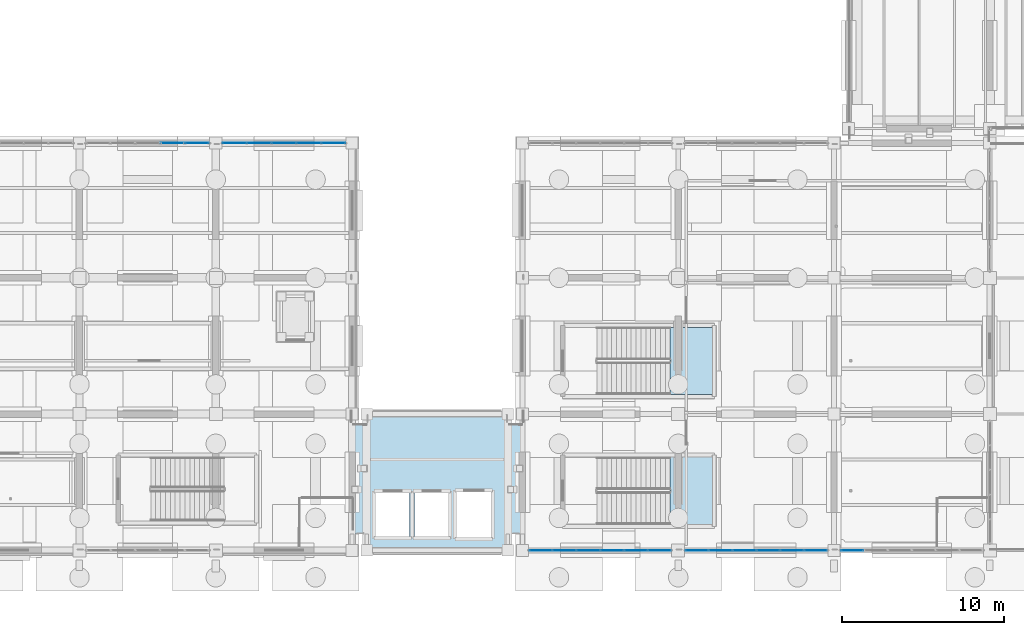
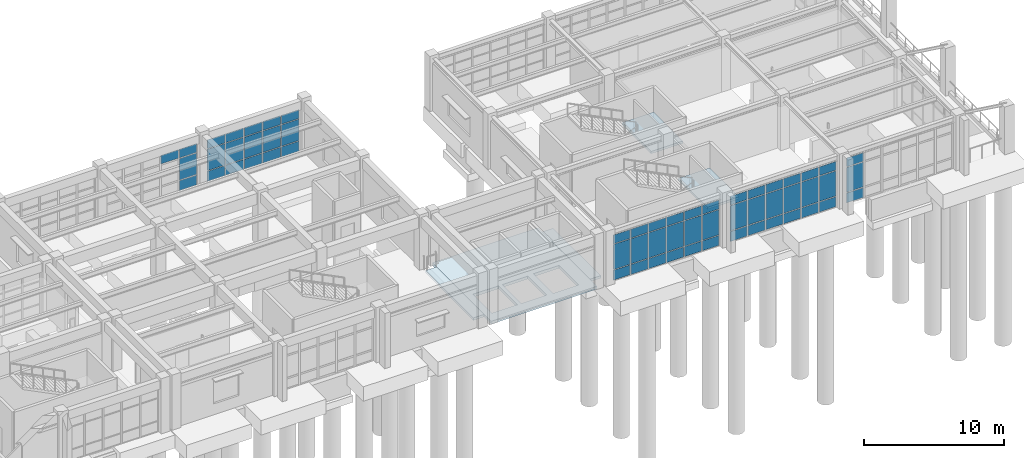
# One storey, part 77 of 111: 58 plates, 5 slabs, 7 elements without a shape of their own.
"""IFC4 building model written with IfcOpenShell, lengths in metres."""

import ifcopenshell
import ifcopenshell.guid

model = None  # the IFC model being written
_history = None  # IfcOwnerHistory: only IFC2X3 demands one
_inside = {}  # id of a spatial element -> (the spatial element, [elements in it])
_under = {}  # id of a project, library or spatial element -> (it, [spatial elements below it])
_declared = {}  # id of a project -> (the project, [libraries it declares])
_typed = {}  # id of a type object -> (the type object, [elements of that type])
_made_of = {}  # id of a material, layer set ... -> (it, [elements and type objects made of it])


def new_model(schema):
    """Start an empty IFC model of exactly this schema.

    Asked for "IFC4X3", IfcOpenShell would pick the latest addendum, in which some entities
    have other attributes; the version numbers below select the first issue.
    IFC2X3 requires an IfcOwnerHistory on every rooted entity: one is made here for all.
    """
    global model, _history
    if schema == "IFC4X3":
        model = ifcopenshell.file(schema_version=(4, 3, 0, 0))
    else:
        model = ifcopenshell.file(schema=schema)
    _inside.clear()
    _under.clear()
    _declared.clear()
    _typed.clear()
    _made_of.clear()
    _history = None
    if model.schema == "IFC2X3":
        org = make("IfcOrganization", Name="unknown")
        user = make(
            "IfcPersonAndOrganization",
            ThePerson=make("IfcPerson", FamilyName="unknown"),
            TheOrganization=org,
        )
        app = make(
            "IfcApplication",
            ApplicationDeveloper=org,
            Version="unknown",
            ApplicationFullName="unknown",
            ApplicationIdentifier="unknown",
        )
        _history = make(
            "IfcOwnerHistory",
            OwningUser=user,
            OwningApplication=app,
            ChangeAction="ADDED",
            CreationDate=0,
        )
    return model


def make(cls, **values):
    """One entity of the class cls with the attributes given. An attribute that is None is left unset."""
    return model.create_entity(
        cls, **{name: value for name, value in values.items() if value is not None}
    )


def rooted(cls, **values):
    """An entity with a GlobalId (a new one), such as an element, a storey or a relation."""
    return make(cls, GlobalId=ifcopenshell.guid.new(), OwnerHistory=_history, **values)


def si_unit(unit_type, name, prefix=None):
    """IfcSIUnit, for example si_unit("LENGTHUNIT", "METRE", prefix="MILLI")."""
    return make("IfcSIUnit", UnitType=unit_type, Prefix=prefix, Name=name)


def assignment(units):
    """IfcUnitAssignment: the units of a project."""
    return None if units is None else make("IfcUnitAssignment", Units=units)


def point(xyz):
    """IfcCartesianPoint."""
    return None if xyz is None else make("IfcCartesianPoint", Coordinates=xyz)


def direction(xyz):
    """IfcDirection."""
    return None if xyz is None else make("IfcDirection", DirectionRatios=xyz)


def frame(location, z_axis=None, x_axis=None):
    """IfcAxis2Placement3D, a coordinate frame: its origin and axes. An axis left out is left unset."""
    return make(
        "IfcAxis2Placement3D",
        Location=point(location),
        Axis=direction(z_axis),
        RefDirection=direction(x_axis),
    )


def frame_2d(location, x_axis=None):
    """IfcAxis2Placement2D, a coordinate frame in the plane: its origin and x axis."""
    return make(
        "IfcAxis2Placement2D", Location=point(location), RefDirection=direction(x_axis)
    )


def origin():
    """The frame at (0, 0, 0) with its axes left unset."""
    return frame((0.0, 0.0, 0.0))


def origin_2d():
    """The frame at (0, 0) in the plane with its x axis left unset."""
    return frame_2d((0.0, 0.0))


def place(relative_to, where):
    """IfcLocalPlacement: puts the frame where relative to a parent placement (None: the world)."""
    return make(
        "IfcLocalPlacement", PlacementRelTo=relative_to, RelativePlacement=where
    )


def context(
    kind, dimensions, precision=None, world=None, true_north=None, identifier=None
):
    """IfcGeometricRepresentationContext, for example the 3D "Model" context."""
    return make(
        "IfcGeometricRepresentationContext",
        ContextIdentifier=identifier,
        ContextType=kind,
        CoordinateSpaceDimension=dimensions,
        Precision=precision,
        WorldCoordinateSystem=world,
        TrueNorth=true_north,
    )


def subcontext(parent, identifier, kind, view, scale=None):
    """IfcGeometricRepresentationSubContext, for example "Body" below "Model"."""
    return make(
        "IfcGeometricRepresentationSubContext",
        ContextIdentifier=identifier,
        ContextType=kind,
        ParentContext=parent,
        TargetScale=scale,
        TargetView=view,
    )


def project(units=None, contexts=None):
    """IfcProject with its units and contexts."""
    return rooted(
        "IfcProject",
        Name="project",
        RepresentationContexts=contexts,
        UnitsInContext=assignment(units),
    )


def spatial(cls, under=None, at=None, **own):
    """A site, building, storey or space (cls), placed at a placement, below another one or the project."""
    s = rooted(cls, ObjectPlacement=at, **own)
    if under is not None:
        _under.setdefault(under.id(), (under, []))[1].append(s)
    return s


def polyline(points):
    """IfcPolyline through the points."""
    return make("IfcPolyline", Points=[point(p) for p in points])


def profile(cls, at=None, kind="AREA", **sizes):
    """A parametric profile (cls). Its sizes go by their IFC names, for example OverallWidth=200.0."""
    return make(cls, ProfileType=kind, Position=at, **sizes)


def rectangle(**sizes):
    """IfcRectangleProfileDef."""
    return profile("IfcRectangleProfileDef", **sizes)


def outline(outer, holes=None, kind="AREA"):
    """IfcArbitraryClosedProfileDef: a profile drawn as a closed curve; with holes, ...WithVoids."""
    if holes is None:
        return make("IfcArbitraryClosedProfileDef", ProfileType=kind, OuterCurve=outer)
    return make(
        "IfcArbitraryProfileDefWithVoids",
        ProfileType=kind,
        OuterCurve=outer,
        InnerCurves=holes,
    )


def extrude(swept, where, along, depth):
    """IfcExtrudedAreaSolid: the profile swept, set in the frame where, extruded along a direction by depth."""
    return make(
        "IfcExtrudedAreaSolid",
        SweptArea=swept,
        Position=where,
        ExtrudedDirection=direction(along),
        Depth=depth,
    )


def shape(context_of_items, identifier, shape_type, items):
    """IfcShapeRepresentation: the items that make up one representation, for example the "Body"."""
    return make(
        "IfcShapeRepresentation",
        ContextOfItems=context_of_items,
        RepresentationIdentifier=identifier,
        RepresentationType=shape_type,
        Items=items,
    )


def material(Name=None, Category=None):
    """IfcMaterial."""
    return make("IfcMaterial", Name=Name, Category=Category)


def layer(
    of_material, thickness, ventilated=None, Name=None, Category=None, Priority=None
):
    """IfcMaterialLayer: one layer of a wall or slab, of a material (None: an air gap)."""
    return make(
        "IfcMaterialLayer",
        Material=of_material,
        LayerThickness=thickness,
        IsVentilated=ventilated,
        Name=Name,
        Category=Category,
        Priority=Priority,
    )


def layer_set(layers, Name=None):
    """IfcMaterialLayerSet."""
    return make("IfcMaterialLayerSet", MaterialLayers=layers, LayerSetName=Name)


def made_of(thing, what):
    """Note that an element or type object is made of a material, layer set ...; save() writes the relation."""
    if what is not None:
        _made_of.setdefault(what.id(), (what, []))[1].append(thing)
    return thing


def type_object(cls, material=None, **own):
    """A type object (cls), such as IfcWallType, which elements share."""
    return made_of(rooted(cls, **own), material)


def element(
    cls,
    number,
    at=None,
    inside=None,
    cuts=None,
    type_object=None,
    material=None,
    context=None,
    identifier="Body",
    shape_type=None,
    held_by="IfcProductDefinitionShape",
    body=None,
    shapes=None,
    **own,
):
    """One element of the class cls, such as IfcWall. Its Tag is "e" and its number.

    at: its placement. inside: the storey or other place that contains it. cuts: it is an
    opening in that element (IfcRelVoidsElement). A single representation is given by context,
    identifier, shape_type and body (its items); several are given by shapes. held_by: the class
    of the entity that holds the representations. save() writes the other relations.
    """
    e = rooted(cls, Tag="e%d" % number, ObjectPlacement=at, **own)
    if body is not None:
        shapes = [shape(context, identifier, shape_type, body)]
    if shapes is not None:
        e.Representation = make(held_by, Representations=shapes)
    if inside is not None:
        _inside.setdefault(inside.id(), (inside, []))[1].append(e)
    if cuts is not None:
        rooted(
            "IfcRelVoidsElement", RelatingBuildingElement=cuts, RelatedOpeningElement=e
        )
    if type_object is not None:
        _typed.setdefault(type_object.id(), (type_object, []))[1].append(e)
    return made_of(e, material)


def aggregate(whole, parts):
    """IfcRelAggregates: a whole, such as a stair, and the parts it consists of."""
    return rooted("IfcRelAggregates", RelatingObject=whole, RelatedObjects=parts)


def save(model, path):
    """Write the relations noted so far, then the file.

    IfcRelAggregates (storeys below a building ...), IfcRelContainedInSpatialStructure (elements
    in a storey), IfcRelDefinesByType, IfcRelAssociatesMaterial and IfcRelDeclares: one each for
    every whole, place, type object, material and project.
    """
    for whole, parts in _under.values():
        aggregate(whole, parts)
    for where, things in _inside.values():
        rooted(
            "IfcRelContainedInSpatialStructure",
            RelatedElements=things,
            RelatingStructure=where,
        )
    for kind, things in _typed.values():
        rooted("IfcRelDefinesByType", RelatedObjects=things, RelatingType=kind)
    for what, things in _made_of.values():
        rooted("IfcRelAssociatesMaterial", RelatedObjects=things, RelatingMaterial=what)
    for by, libraries in _declared.values():
        rooted("IfcRelDeclares", RelatingContext=by, RelatedDefinitions=libraries)
    model.write(path)


model = new_model("IFC4")

# Units and contexts
model_context = context("Model", 3, precision=1e-05, world=origin(), true_north=direction((0.0, 1.0)))
body_context = subcontext(model_context, "Body", "Model", "MODEL_VIEW")
ifc_project = project(units=[si_unit("LENGTHUNIT", "METRE"), si_unit("AREAUNIT", "SQUARE_METRE"), si_unit("VOLUMEUNIT", "CUBIC_METRE"), si_unit("PLANEANGLEUNIT", "RADIAN"), si_unit("MASSUNIT", "GRAM", prefix="KILO")], contexts=[model_context])

# Site, building, storey
site_placement = place(None, origin())
site = spatial("IfcSite", under=ifc_project, at=site_placement, CompositionType="ELEMENT")
building_placement = place(site_placement, origin())
building = spatial("IfcBuilding", under=site, at=building_placement, Name="Canglan Escarpment Cableway Terminal", CompositionType="ELEMENT")
storey_placement = place(building_placement, frame((0.0, 0.0, 4.800048828125)))
storey = spatial("IfcBuildingStorey", under=building, at=storey_placement, Name="L01", CompositionType="ELEMENT", Elevation=4.800048828125)

# Curtain wall, plates
ifc_material_1 = material(Name="Anodized bronze aluminium and Low-E double glazing", Category="aluminium")
curtain_wall_type_1 = type_object("IfcCurtainWallType", Name="CW-BAY-8825x4025", PredefinedType="NOTDEFINED", material=ifc_material_1)
curtain_wall_1_placement = place(storey_placement, origin())
curtain_wall_1 = element("IfcCurtainWall", 1, at=curtain_wall_1_placement, inside=storey, type_object=curtain_wall_type_1, Name="Classical bay-between-piers glazed curtain wall CW-22", PredefinedType="NOTDEFINED")
ifc_material_2 = material(Name="Double-silver Low-E laminated insulating glass", Category="glass")
ifc_layer_1 = layer(ifc_material_2, 0.02392578125, Name="Double-silver Low-E laminated insulating glass")
ifc_layer_set_1 = layer_set([ifc_layer_1], Name="Double-silver Low-E laminated insulating glass")
plate_type_1 = type_object("IfcPlateType", Name="CWP-01", PredefinedType="CURTAIN_PANEL", material=ifc_layer_set_1)
plate_1_placement = place(storey_placement, frame((167.526611328125, 8.0, 0.06494140625), z_axis=(0.0, 0.0, 1.0), x_axis=(1.0, 0.0, 0.0)))
plate_1 = element("IfcPlate", 2, at=plate_1_placement, type_object=plate_type_1, Name="CW-22 panel 1.1", PredefinedType="CURTAIN_PANEL", context=body_context, shape_type="SweptSolid", body=[
    extrude(rectangle(XDim=1.373291015625, YDim=0.02392578125, at=origin_2d()), origin(), (0.0, 0.0, 1.0), 0.8525390625),
])
plate_2_placement = place(storey_placement, frame((167.526611328125, 8.0, 0.982421875), z_axis=(0.0, 0.0, 1.0), x_axis=(1.0, 0.0, 0.0)))
plate_2 = element("IfcPlate", 3, at=plate_2_placement, type_object=plate_type_1, Name="CW-22 panel 1.2", PredefinedType="CURTAIN_PANEL", context=body_context, shape_type="SweptSolid", body=[
    extrude(rectangle(XDim=1.373291015625, YDim=0.02392578125, at=origin_2d()), origin(), (0.0, 0.0, 1.0), 2.162109375),
])
plate_3_placement = place(storey_placement, frame((167.526611328125, 8.0, 3.20947265625), z_axis=(0.0, 0.0, 1.0), x_axis=(1.0, 0.0, 0.0)))
plate_3 = element("IfcPlate", 4, at=plate_3_placement, type_object=plate_type_1, Name="CW-22 panel 1.3", PredefinedType="CURTAIN_PANEL", context=body_context, shape_type="SweptSolid", body=[
    extrude(rectangle(XDim=1.373291015625, YDim=0.02392578125, at=origin_2d()), origin(), (0.0, 0.0, 1.0), 0.75244140625),
])
aggregate(curtain_wall_1, [plate_1, plate_2, plate_3])

curtain_wall_type_2 = type_object("IfcCurtainWallType", Name="CW-BAY-7650x3725", PredefinedType="NOTDEFINED", material=ifc_material_1)
curtain_wall_2_placement = place(storey_placement, origin())
curtain_wall_2 = element("IfcCurtainWall", 5, at=curtain_wall_2_placement, inside=storey, type_object=curtain_wall_type_2, Name="Classical bay-between-piers glazed curtain wall CW-01", PredefinedType="NOTDEFINED")
ifc_layer_2 = layer(ifc_material_2, 0.028076171875, Name="Double-silver Low-E laminated insulating glass")
ifc_layer_set_2 = layer_set([ifc_layer_2], Name="Double-silver Low-E laminated insulating glass")
plate_type_2 = type_object("IfcPlateType", Name="CWP-02", PredefinedType="CURTAIN_PANEL", material=ifc_layer_set_2)
plate_4_placement = place(storey_placement, frame((127.143798828125, 33.10009765625, 0.06494140625), z_axis=(0.0, 0.0, 1.0), x_axis=(-1.0, 0.0, 0.0)))
plate_4 = element("IfcPlate", 6, at=plate_4_placement, type_object=plate_type_2, Name="CW-01 panel 1.1", PredefinedType="CURTAIN_PANEL", context=body_context, shape_type="SweptSolid", body=[
    extrude(rectangle(XDim=1.4326171875, YDim=0.028076171875, at=origin_2d()), origin(), (0.0, 0.0, 1.0), 0.8525390625),
])
plate_5_placement = place(storey_placement, frame((127.143798828125, 33.10009765625, 0.982421875), z_axis=(0.0, 0.0, 1.0), x_axis=(-1.0, 0.0, 0.0)))
plate_5 = element("IfcPlate", 7, at=plate_5_placement, type_object=plate_type_2, Name="CW-01 panel 1.2", PredefinedType="CURTAIN_PANEL", context=body_context, shape_type="SweptSolid", body=[
    extrude(rectangle(XDim=1.4326171875, YDim=0.028076171875, at=origin_2d()), origin(), (0.0, 0.0, 1.0), 1.85009765625),
])
plate_6_placement = place(storey_placement, frame((127.143798828125, 33.10009765625, 2.8974609375), z_axis=(0.0, 0.0, 1.0), x_axis=(-1.0, 0.0, 0.0)))
plate_6 = element("IfcPlate", 8, at=plate_6_placement, type_object=plate_type_2, Name="CW-01 panel 1.3", PredefinedType="CURTAIN_PANEL", context=body_context, shape_type="SweptSolid", body=[
    extrude(rectangle(XDim=1.4326171875, YDim=0.028076171875, at=origin_2d()), origin(), (0.0, 0.0, 1.0), 0.75244140625),
])
plate_7_placement = place(storey_placement, frame((125.6298828125, 33.10009765625, 2.8974609375), z_axis=(0.0, 0.0, 1.0), x_axis=(-1.0, 0.0, 0.0)))
plate_7 = element("IfcPlate", 9, at=plate_7_placement, type_object=plate_type_2, Name="CW-01 panel 2.3", PredefinedType="CURTAIN_PANEL", context=body_context, shape_type="SweptSolid", body=[
    extrude(rectangle(XDim=1.465087890625, YDim=0.028076171875, at=origin_2d()), origin(), (0.0, 0.0, 1.0), 0.75244140625),
])
aggregate(curtain_wall_2, [plate_4, plate_5, plate_6, plate_7])

curtain_wall_3_placement = place(storey_placement, origin())
curtain_wall_3 = element("IfcCurtainWall", 10, at=curtain_wall_3_placement, inside=storey, type_object=curtain_wall_type_2, Name="Classical bay-between-piers glazed curtain wall CW-01", PredefinedType="NOTDEFINED")
ifc_layer_3 = layer(ifc_material_2, 0.031982421875, Name="Double-silver Low-E laminated insulating glass")
ifc_layer_set_3 = layer_set([ifc_layer_3], Name="Double-silver Low-E laminated insulating glass")
plate_type_3 = type_object("IfcPlateType", Name="CWP-03", PredefinedType="CURTAIN_PANEL", material=ifc_layer_set_3)
plate_8_placement = place(storey_placement, frame((135.544921875, 33.10009765625, 0.05517578125), z_axis=(0.0, 0.0, 1.0), x_axis=(-1.0, 0.0, 0.0)))
plate_8 = element("IfcPlate", 11, at=plate_8_placement, type_object=plate_type_3, Name="CW-01 panel 1.1", PredefinedType="CURTAIN_PANEL", context=body_context, shape_type="SweptSolid", body=[
    extrude(rectangle(XDim=1.43994140625, YDim=0.031982421875, at=origin_2d()), origin(), (0.0, 0.0, 1.0), 0.867431640625),
])
plate_9_placement = place(storey_placement, frame((135.544921875, 33.10009765625, 0.9775390625), z_axis=(0.0, 0.0, 1.0), x_axis=(-1.0, 0.0, 0.0)))
plate_9 = element("IfcPlate", 12, at=plate_9_placement, type_object=plate_type_3, Name="CW-01 panel 1.2", PredefinedType="CURTAIN_PANEL", context=body_context, shape_type="SweptSolid", body=[
    extrude(rectangle(XDim=1.43994140625, YDim=0.031982421875, at=origin_2d()), origin(), (0.0, 0.0, 1.0), 1.860107421875),
])
plate_10_placement = place(storey_placement, frame((135.544921875, 33.10009765625, 2.892333984375), z_axis=(0.0, 0.0, 1.0), x_axis=(-1.0, 0.0, 0.0)))
plate_10 = element("IfcPlate", 13, at=plate_10_placement, type_object=plate_type_3, Name="CW-01 panel 1.3", PredefinedType="CURTAIN_PANEL", context=body_context, shape_type="SweptSolid", body=[
    extrude(rectangle(XDim=1.43994140625, YDim=0.031982421875, at=origin_2d()), origin(), (0.0, 0.0, 1.0), 0.767578125),
])
plate_11_placement = place(storey_placement, frame((134.030029296875, 33.10009765625, 0.05517578125), z_axis=(0.0, 0.0, 1.0), x_axis=(-1.0, 0.0, 0.0)))
plate_11 = element("IfcPlate", 14, at=plate_11_placement, type_object=plate_type_3, Name="CW-01 panel 2.1", PredefinedType="CURTAIN_PANEL", context=body_context, shape_type="SweptSolid", body=[
    extrude(rectangle(XDim=1.469970703125, YDim=0.031982421875, at=origin_2d()), origin(), (0.0, 0.0, 1.0), 0.867431640625),
])
plate_12_placement = place(storey_placement, frame((134.030029296875, 33.10009765625, 0.9775390625), z_axis=(0.0, 0.0, 1.0), x_axis=(-1.0, 0.0, 0.0)))
plate_12 = element("IfcPlate", 15, at=plate_12_placement, type_object=plate_type_3, Name="CW-01 panel 2.2", PredefinedType="CURTAIN_PANEL", context=body_context, shape_type="SweptSolid", body=[
    extrude(rectangle(XDim=1.469970703125, YDim=0.031982421875, at=origin_2d()), origin(), (0.0, 0.0, 1.0), 1.860107421875),
])
plate_13_placement = place(storey_placement, frame((134.030029296875, 33.10009765625, 2.892333984375), z_axis=(0.0, 0.0, 1.0), x_axis=(-1.0, 0.0, 0.0)))
plate_13 = element("IfcPlate", 16, at=plate_13_placement, type_object=plate_type_3, Name="CW-01 panel 2.3", PredefinedType="CURTAIN_PANEL", context=body_context, shape_type="SweptSolid", body=[
    extrude(rectangle(XDim=1.469970703125, YDim=0.031982421875, at=origin_2d()), origin(), (0.0, 0.0, 1.0), 0.767578125),
])
plate_14_placement = place(storey_placement, frame((132.5, 33.10009765625, 0.05517578125), z_axis=(0.0, 0.0, 1.0), x_axis=(-1.0, 0.0, 0.0)))
plate_14 = element("IfcPlate", 17, at=plate_14_placement, type_object=plate_type_3, Name="CW-01 panel 3.1", PredefinedType="CURTAIN_PANEL", context=body_context, shape_type="SweptSolid", body=[
    extrude(rectangle(XDim=1.469970703125, YDim=0.031982421875, at=origin_2d()), origin(), (0.0, 0.0, 1.0), 0.867431640625),
])
plate_15_placement = place(storey_placement, frame((132.5, 33.10009765625, 0.9775390625), z_axis=(0.0, 0.0, 1.0), x_axis=(-1.0, 0.0, 0.0)))
plate_15 = element("IfcPlate", 18, at=plate_15_placement, type_object=plate_type_3, Name="CW-01 panel 3.2", PredefinedType="CURTAIN_PANEL", context=body_context, shape_type="SweptSolid", body=[
    extrude(rectangle(XDim=1.469970703125, YDim=0.031982421875, at=origin_2d()), origin(), (0.0, 0.0, 1.0), 1.860107421875),
])
plate_16_placement = place(storey_placement, frame((132.5, 33.10009765625, 2.892333984375), z_axis=(0.0, 0.0, 1.0), x_axis=(-1.0, 0.0, 0.0)))
plate_16 = element("IfcPlate", 19, at=plate_16_placement, type_object=plate_type_3, Name="CW-01 panel 3.3", PredefinedType="CURTAIN_PANEL", context=body_context, shape_type="SweptSolid", body=[
    extrude(rectangle(XDim=1.469970703125, YDim=0.031982421875, at=origin_2d()), origin(), (0.0, 0.0, 1.0), 0.767578125),
])
plate_17_placement = place(storey_placement, frame((130.969970703125, 33.10009765625, 0.05517578125), z_axis=(0.0, 0.0, 1.0), x_axis=(-1.0, 0.0, 0.0)))
plate_17 = element("IfcPlate", 20, at=plate_17_placement, type_object=plate_type_3, Name="CW-01 panel 4.1", PredefinedType="CURTAIN_PANEL", context=body_context, shape_type="SweptSolid", body=[
    extrude(rectangle(XDim=1.469970703125, YDim=0.031982421875, at=origin_2d()), origin(), (0.0, 0.0, 1.0), 0.867431640625),
])
plate_18_placement = place(storey_placement, frame((130.969970703125, 33.10009765625, 0.9775390625), z_axis=(0.0, 0.0, 1.0), x_axis=(-1.0, 0.0, 0.0)))
plate_18 = element("IfcPlate", 21, at=plate_18_placement, type_object=plate_type_3, Name="CW-01 panel 4.2", PredefinedType="CURTAIN_PANEL", context=body_context, shape_type="SweptSolid", body=[
    extrude(rectangle(XDim=1.469970703125, YDim=0.031982421875, at=origin_2d()), origin(), (0.0, 0.0, 1.0), 1.860107421875),
])
plate_19_placement = place(storey_placement, frame((130.969970703125, 33.10009765625, 2.892333984375), z_axis=(0.0, 0.0, 1.0), x_axis=(-1.0, 0.0, 0.0)))
plate_19 = element("IfcPlate", 22, at=plate_19_placement, type_object=plate_type_3, Name="CW-01 panel 4.3", PredefinedType="CURTAIN_PANEL", context=body_context, shape_type="SweptSolid", body=[
    extrude(rectangle(XDim=1.469970703125, YDim=0.031982421875, at=origin_2d()), origin(), (0.0, 0.0, 1.0), 0.767578125),
])
plate_20_placement = place(storey_placement, frame((129.455078125, 33.10009765625, 0.05517578125), z_axis=(0.0, 0.0, 1.0), x_axis=(-1.0, 0.0, 0.0)))
plate_20 = element("IfcPlate", 23, at=plate_20_placement, type_object=plate_type_3, Name="CW-01 panel 5.1", PredefinedType="CURTAIN_PANEL", context=body_context, shape_type="SweptSolid", body=[
    extrude(rectangle(XDim=1.43994140625, YDim=0.031982421875, at=origin_2d()), origin(), (0.0, 0.0, 1.0), 0.867431640625),
])
plate_21_placement = place(storey_placement, frame((129.455078125, 33.10009765625, 0.9775390625), z_axis=(0.0, 0.0, 1.0), x_axis=(-1.0, 0.0, 0.0)))
plate_21 = element("IfcPlate", 24, at=plate_21_placement, type_object=plate_type_3, Name="CW-01 panel 5.2", PredefinedType="CURTAIN_PANEL", context=body_context, shape_type="SweptSolid", body=[
    extrude(rectangle(XDim=1.43994140625, YDim=0.031982421875, at=origin_2d()), origin(), (0.0, 0.0, 1.0), 1.860107421875),
])
plate_22_placement = place(storey_placement, frame((129.455078125, 33.10009765625, 2.892333984375), z_axis=(0.0, 0.0, 1.0), x_axis=(-1.0, 0.0, 0.0)))
plate_22 = element("IfcPlate", 25, at=plate_22_placement, type_object=plate_type_3, Name="CW-01 panel 5.3", PredefinedType="CURTAIN_PANEL", context=body_context, shape_type="SweptSolid", body=[
    extrude(rectangle(XDim=1.43994140625, YDim=0.031982421875, at=origin_2d()), origin(), (0.0, 0.0, 1.0), 0.767578125),
])
aggregate(curtain_wall_3, [plate_8, plate_9, plate_10, plate_11, plate_12, plate_13, plate_14, plate_15, plate_16, plate_17, plate_18, plate_19, plate_20, plate_21, plate_22])

curtain_wall_type_3 = type_object("IfcCurtainWallType", Name="CW-BAY-8825x4050", PredefinedType="NOTDEFINED", material=ifc_material_1)
curtain_wall_4_placement = place(storey_placement, origin())
curtain_wall_4 = element("IfcCurtainWall", 26, at=curtain_wall_4_placement, inside=storey, type_object=curtain_wall_type_3, Name="Classical bay-between-piers glazed curtain wall CW-21", PredefinedType="NOTDEFINED")
plate_23_placement = place(storey_placement, frame((148.325439453125, 8.0, 0.05517578125), z_axis=(0.0, 0.0, 1.0), x_axis=(1.0, 0.0, 0.0)))
plate_23 = element("IfcPlate", 27, at=plate_23_placement, type_object=plate_type_3, Name="CW-21 panel 1.1", PredefinedType="CURTAIN_PANEL", context=body_context, shape_type="SweptSolid", body=[
    extrude(rectangle(XDim=1.380859375, YDim=0.031982421875, at=origin_2d()), origin(), (0.0, 0.0, 1.0), 0.867431640625),
])
plate_24_placement = place(storey_placement, frame((148.325439453125, 8.0, 0.9775390625), z_axis=(0.0, 0.0, 1.0), x_axis=(1.0, 0.0, 0.0)))
plate_24 = element("IfcPlate", 28, at=plate_24_placement, type_object=plate_type_3, Name="CW-21 panel 1.2", PredefinedType="CURTAIN_PANEL", context=body_context, shape_type="SweptSolid", body=[
    extrude(rectangle(XDim=1.380859375, YDim=0.031982421875, at=origin_2d()), origin(), (0.0, 0.0, 1.0), 2.19189453125),
])
plate_25_placement = place(storey_placement, frame((148.325439453125, 8.0, 3.224365234375), z_axis=(0.0, 0.0, 1.0), x_axis=(1.0, 0.0, 0.0)))
plate_25 = element("IfcPlate", 29, at=plate_25_placement, type_object=plate_type_3, Name="CW-21 panel 1.3", PredefinedType="CURTAIN_PANEL", context=body_context, shape_type="SweptSolid", body=[
    extrude(rectangle(XDim=1.380859375, YDim=0.031982421875, at=origin_2d()), origin(), (0.0, 0.0, 1.0), 0.767578125),
])
plate_26_placement = place(storey_placement, frame((149.78125, 8.0, 0.05517578125), z_axis=(0.0, 0.0, 1.0), x_axis=(1.0, 0.0, 0.0)))
plate_26 = element("IfcPlate", 30, at=plate_26_placement, type_object=plate_type_3, Name="CW-21 panel 2.1", PredefinedType="CURTAIN_PANEL", context=body_context, shape_type="SweptSolid", body=[
    extrude(rectangle(XDim=1.410888671875, YDim=0.031982421875, at=origin_2d()), origin(), (0.0, 0.0, 1.0), 0.867431640625),
])
plate_27_placement = place(storey_placement, frame((149.78125, 8.0, 0.9775390625), z_axis=(0.0, 0.0, 1.0), x_axis=(1.0, 0.0, 0.0)))
plate_27 = element("IfcPlate", 31, at=plate_27_placement, type_object=plate_type_3, Name="CW-21 panel 2.2", PredefinedType="CURTAIN_PANEL", context=body_context, shape_type="SweptSolid", body=[
    extrude(rectangle(XDim=1.410888671875, YDim=0.031982421875, at=origin_2d()), origin(), (0.0, 0.0, 1.0), 2.19189453125),
])
plate_28_placement = place(storey_placement, frame((149.78125, 8.0, 3.224365234375), z_axis=(0.0, 0.0, 1.0), x_axis=(1.0, 0.0, 0.0)))
plate_28 = element("IfcPlate", 32, at=plate_28_placement, type_object=plate_type_3, Name="CW-21 panel 2.3", PredefinedType="CURTAIN_PANEL", context=body_context, shape_type="SweptSolid", body=[
    extrude(rectangle(XDim=1.410888671875, YDim=0.031982421875, at=origin_2d()), origin(), (0.0, 0.0, 1.0), 0.767578125),
])
plate_29_placement = place(storey_placement, frame((151.252197265625, 8.0, 0.05517578125), z_axis=(0.0, 0.0, 1.0), x_axis=(1.0, 0.0, 0.0)))
plate_29 = element("IfcPlate", 33, at=plate_29_placement, type_object=plate_type_3, Name="CW-21 panel 3.1", PredefinedType="CURTAIN_PANEL", context=body_context, shape_type="SweptSolid", body=[
    extrude(rectangle(XDim=1.410888671875, YDim=0.031982421875, at=origin_2d()), origin(), (0.0, 0.0, 1.0), 0.867431640625),
])
plate_30_placement = place(storey_placement, frame((151.252197265625, 8.0, 0.9775390625), z_axis=(0.0, 0.0, 1.0), x_axis=(1.0, 0.0, 0.0)))
plate_30 = element("IfcPlate", 34, at=plate_30_placement, type_object=plate_type_3, Name="CW-21 panel 3.2", PredefinedType="CURTAIN_PANEL", context=body_context, shape_type="SweptSolid", body=[
    extrude(rectangle(XDim=1.410888671875, YDim=0.031982421875, at=origin_2d()), origin(), (0.0, 0.0, 1.0), 2.19189453125),
])
plate_31_placement = place(storey_placement, frame((151.252197265625, 8.0, 3.224365234375), z_axis=(0.0, 0.0, 1.0), x_axis=(1.0, 0.0, 0.0)))
plate_31 = element("IfcPlate", 35, at=plate_31_placement, type_object=plate_type_3, Name="CW-21 panel 3.3", PredefinedType="CURTAIN_PANEL", context=body_context, shape_type="SweptSolid", body=[
    extrude(rectangle(XDim=1.410888671875, YDim=0.031982421875, at=origin_2d()), origin(), (0.0, 0.0, 1.0), 0.767578125),
])
plate_32_placement = place(storey_placement, frame((152.722900390625, 8.0, 0.05517578125), z_axis=(0.0, 0.0, 1.0), x_axis=(1.0, 0.0, 0.0)))
plate_32 = element("IfcPlate", 36, at=plate_32_placement, type_object=plate_type_3, Name="CW-21 panel 4.1", PredefinedType="CURTAIN_PANEL", context=body_context, shape_type="SweptSolid", body=[
    extrude(rectangle(XDim=1.410888671875, YDim=0.031982421875, at=origin_2d()), origin(), (0.0, 0.0, 1.0), 0.867431640625),
])
plate_33_placement = place(storey_placement, frame((152.722900390625, 8.0, 0.9775390625), z_axis=(0.0, 0.0, 1.0), x_axis=(1.0, 0.0, 0.0)))
plate_33 = element("IfcPlate", 37, at=plate_33_placement, type_object=plate_type_3, Name="CW-21 panel 4.2", PredefinedType="CURTAIN_PANEL", context=body_context, shape_type="SweptSolid", body=[
    extrude(rectangle(XDim=1.410888671875, YDim=0.031982421875, at=origin_2d()), origin(), (0.0, 0.0, 1.0), 2.19189453125),
])
plate_34_placement = place(storey_placement, frame((152.722900390625, 8.0, 3.224365234375), z_axis=(0.0, 0.0, 1.0), x_axis=(1.0, 0.0, 0.0)))
plate_34 = element("IfcPlate", 38, at=plate_34_placement, type_object=plate_type_3, Name="CW-21 panel 4.3", PredefinedType="CURTAIN_PANEL", context=body_context, shape_type="SweptSolid", body=[
    extrude(rectangle(XDim=1.410888671875, YDim=0.031982421875, at=origin_2d()), origin(), (0.0, 0.0, 1.0), 0.767578125),
])
plate_35_placement = place(storey_placement, frame((154.19384765625, 8.0, 0.05517578125), z_axis=(0.0, 0.0, 1.0), x_axis=(1.0, 0.0, 0.0)))
plate_35 = element("IfcPlate", 39, at=plate_35_placement, type_object=plate_type_3, Name="CW-21 panel 5.1", PredefinedType="CURTAIN_PANEL", context=body_context, shape_type="SweptSolid", body=[
    extrude(rectangle(XDim=1.410888671875, YDim=0.031982421875, at=origin_2d()), origin(), (0.0, 0.0, 1.0), 0.867431640625),
])
plate_36_placement = place(storey_placement, frame((154.19384765625, 8.0, 0.9775390625), z_axis=(0.0, 0.0, 1.0), x_axis=(1.0, 0.0, 0.0)))
plate_36 = element("IfcPlate", 40, at=plate_36_placement, type_object=plate_type_3, Name="CW-21 panel 5.2", PredefinedType="CURTAIN_PANEL", context=body_context, shape_type="SweptSolid", body=[
    extrude(rectangle(XDim=1.410888671875, YDim=0.031982421875, at=origin_2d()), origin(), (0.0, 0.0, 1.0), 2.19189453125),
])
plate_37_placement = place(storey_placement, frame((154.19384765625, 8.0, 3.224365234375), z_axis=(0.0, 0.0, 1.0), x_axis=(1.0, 0.0, 0.0)))
plate_37 = element("IfcPlate", 41, at=plate_37_placement, type_object=plate_type_3, Name="CW-21 panel 5.3", PredefinedType="CURTAIN_PANEL", context=body_context, shape_type="SweptSolid", body=[
    extrude(rectangle(XDim=1.410888671875, YDim=0.031982421875, at=origin_2d()), origin(), (0.0, 0.0, 1.0), 0.767578125),
])
plate_38_placement = place(storey_placement, frame((155.649658203125, 8.0, 0.05517578125), z_axis=(0.0, 0.0, 1.0), x_axis=(1.0, 0.0, 0.0)))
plate_38 = element("IfcPlate", 42, at=plate_38_placement, type_object=plate_type_3, Name="CW-21 panel 6.1", PredefinedType="CURTAIN_PANEL", context=body_context, shape_type="SweptSolid", body=[
    extrude(rectangle(XDim=1.380859375, YDim=0.031982421875, at=origin_2d()), origin(), (0.0, 0.0, 1.0), 0.867431640625),
])
plate_39_placement = place(storey_placement, frame((155.649658203125, 8.0, 0.9775390625), z_axis=(0.0, 0.0, 1.0), x_axis=(1.0, 0.0, 0.0)))
plate_39 = element("IfcPlate", 43, at=plate_39_placement, type_object=plate_type_3, Name="CW-21 panel 6.2", PredefinedType="CURTAIN_PANEL", context=body_context, shape_type="SweptSolid", body=[
    extrude(rectangle(XDim=1.380859375, YDim=0.031982421875, at=origin_2d()), origin(), (0.0, 0.0, 1.0), 2.19189453125),
])
plate_40_placement = place(storey_placement, frame((155.649658203125, 8.0, 3.224365234375), z_axis=(0.0, 0.0, 1.0), x_axis=(1.0, 0.0, 0.0)))
plate_40 = element("IfcPlate", 44, at=plate_40_placement, type_object=plate_type_3, Name="CW-21 panel 6.3", PredefinedType="CURTAIN_PANEL", context=body_context, shape_type="SweptSolid", body=[
    extrude(rectangle(XDim=1.380859375, YDim=0.031982421875, at=origin_2d()), origin(), (0.0, 0.0, 1.0), 0.767578125),
])
aggregate(curtain_wall_4, [plate_23, plate_24, plate_25, plate_26, plate_27, plate_28, plate_29, plate_30, plate_31, plate_32, plate_33, plate_34, plate_35, plate_36, plate_37, plate_38, plate_39, plate_40])

curtain_wall_5_placement = place(storey_placement, origin())
curtain_wall_5 = element("IfcCurtainWall", 45, at=curtain_wall_5_placement, inside=storey, type_object=curtain_wall_type_3, Name="Classical bay-between-piers glazed curtain wall CW-21", PredefinedType="NOTDEFINED")
ifc_layer_4 = layer(ifc_material_2, 0.035888671875, Name="Double-silver Low-E laminated insulating glass")
ifc_layer_set_4 = layer_set([ifc_layer_4], Name="Double-silver Low-E laminated insulating glass")
plate_type_4 = type_object("IfcPlateType", Name="CWP-04", PredefinedType="CURTAIN_PANEL", material=ifc_layer_set_4)
plate_41_placement = place(storey_placement, frame((157.95166015625, 8.0, 0.06005859375), z_axis=(0.0, 0.0, 1.0), x_axis=(1.0, 0.0, 0.0)))
plate_41 = element("IfcPlate", 46, at=plate_41_placement, type_object=plate_type_4, Name="CW-21 panel 1.1", PredefinedType="CURTAIN_PANEL", context=body_context, shape_type="SweptSolid", body=[
    extrude(rectangle(XDim=1.373291015625, YDim=0.035888671875, at=origin_2d()), origin(), (0.0, 0.0, 1.0), 0.860107421875),
])
plate_42_placement = place(storey_placement, frame((157.95166015625, 8.0, 0.97998046875), z_axis=(0.0, 0.0, 1.0), x_axis=(1.0, 0.0, 0.0)))
plate_42 = element("IfcPlate", 47, at=plate_42_placement, type_object=plate_type_4, Name="CW-21 panel 1.2", PredefinedType="CURTAIN_PANEL", context=body_context, shape_type="SweptSolid", body=[
    extrude(rectangle(XDim=1.373291015625, YDim=0.035888671875, at=origin_2d()), origin(), (0.0, 0.0, 1.0), 2.18701171875),
])
plate_43_placement = place(storey_placement, frame((157.95166015625, 8.0, 3.22705078125), z_axis=(0.0, 0.0, 1.0), x_axis=(1.0, 0.0, 0.0)))
plate_43 = element("IfcPlate", 48, at=plate_43_placement, type_object=plate_type_4, Name="CW-21 panel 1.3", PredefinedType="CURTAIN_PANEL", context=body_context, shape_type="SweptSolid", body=[
    extrude(rectangle(XDim=1.373291015625, YDim=0.035888671875, at=origin_2d()), origin(), (0.0, 0.0, 1.0), 0.760009765625),
])
plate_44_placement = place(storey_placement, frame((159.40625, 8.0, 0.06005859375), z_axis=(0.0, 0.0, 1.0), x_axis=(1.0, 0.0, 0.0)))
plate_44 = element("IfcPlate", 49, at=plate_44_placement, type_object=plate_type_4, Name="CW-21 panel 2.1", PredefinedType="CURTAIN_PANEL", context=body_context, shape_type="SweptSolid", body=[
    extrude(rectangle(XDim=1.40576171875, YDim=0.035888671875, at=origin_2d()), origin(), (0.0, 0.0, 1.0), 0.860107421875),
])
plate_45_placement = place(storey_placement, frame((159.40625, 8.0, 0.97998046875), z_axis=(0.0, 0.0, 1.0), x_axis=(1.0, 0.0, 0.0)))
plate_45 = element("IfcPlate", 50, at=plate_45_placement, type_object=plate_type_4, Name="CW-21 panel 2.2", PredefinedType="CURTAIN_PANEL", context=body_context, shape_type="SweptSolid", body=[
    extrude(rectangle(XDim=1.40576171875, YDim=0.035888671875, at=origin_2d()), origin(), (0.0, 0.0, 1.0), 2.18701171875),
])
plate_46_placement = place(storey_placement, frame((159.40625, 8.0, 3.22705078125), z_axis=(0.0, 0.0, 1.0), x_axis=(1.0, 0.0, 0.0)))
plate_46 = element("IfcPlate", 51, at=plate_46_placement, type_object=plate_type_4, Name="CW-21 panel 2.3", PredefinedType="CURTAIN_PANEL", context=body_context, shape_type="SweptSolid", body=[
    extrude(rectangle(XDim=1.40576171875, YDim=0.035888671875, at=origin_2d()), origin(), (0.0, 0.0, 1.0), 0.760009765625),
])
plate_47_placement = place(storey_placement, frame((160.877197265625, 8.0, 0.06005859375), z_axis=(0.0, 0.0, 1.0), x_axis=(1.0, 0.0, 0.0)))
plate_47 = element("IfcPlate", 52, at=plate_47_placement, type_object=plate_type_4, Name="CW-21 panel 3.1", PredefinedType="CURTAIN_PANEL", context=body_context, shape_type="SweptSolid", body=[
    extrude(rectangle(XDim=1.40576171875, YDim=0.035888671875, at=origin_2d()), origin(), (0.0, 0.0, 1.0), 0.860107421875),
])
plate_48_placement = place(storey_placement, frame((160.877197265625, 8.0, 0.97998046875), z_axis=(0.0, 0.0, 1.0), x_axis=(1.0, 0.0, 0.0)))
plate_48 = element("IfcPlate", 53, at=plate_48_placement, type_object=plate_type_4, Name="CW-21 panel 3.2", PredefinedType="CURTAIN_PANEL", context=body_context, shape_type="SweptSolid", body=[
    extrude(rectangle(XDim=1.40576171875, YDim=0.035888671875, at=origin_2d()), origin(), (0.0, 0.0, 1.0), 2.18701171875),
])
plate_49_placement = place(storey_placement, frame((160.877197265625, 8.0, 3.22705078125), z_axis=(0.0, 0.0, 1.0), x_axis=(1.0, 0.0, 0.0)))
plate_49 = element("IfcPlate", 54, at=plate_49_placement, type_object=plate_type_4, Name="CW-21 panel 3.3", PredefinedType="CURTAIN_PANEL", context=body_context, shape_type="SweptSolid", body=[
    extrude(rectangle(XDim=1.40576171875, YDim=0.035888671875, at=origin_2d()), origin(), (0.0, 0.0, 1.0), 0.760009765625),
])
plate_50_placement = place(storey_placement, frame((162.347900390625, 8.0, 0.06005859375), z_axis=(0.0, 0.0, 1.0), x_axis=(1.0, 0.0, 0.0)))
plate_50 = element("IfcPlate", 55, at=plate_50_placement, type_object=plate_type_4, Name="CW-21 panel 4.1", PredefinedType="CURTAIN_PANEL", context=body_context, shape_type="SweptSolid", body=[
    extrude(rectangle(XDim=1.40576171875, YDim=0.035888671875, at=origin_2d()), origin(), (0.0, 0.0, 1.0), 0.860107421875),
])
plate_51_placement = place(storey_placement, frame((162.347900390625, 8.0, 0.97998046875), z_axis=(0.0, 0.0, 1.0), x_axis=(1.0, 0.0, 0.0)))
plate_51 = element("IfcPlate", 56, at=plate_51_placement, type_object=plate_type_4, Name="CW-21 panel 4.2", PredefinedType="CURTAIN_PANEL", context=body_context, shape_type="SweptSolid", body=[
    extrude(rectangle(XDim=1.40576171875, YDim=0.035888671875, at=origin_2d()), origin(), (0.0, 0.0, 1.0), 2.18701171875),
])
plate_52_placement = place(storey_placement, frame((162.347900390625, 8.0, 3.22705078125), z_axis=(0.0, 0.0, 1.0), x_axis=(1.0, 0.0, 0.0)))
plate_52 = element("IfcPlate", 57, at=plate_52_placement, type_object=plate_type_4, Name="CW-21 panel 4.3", PredefinedType="CURTAIN_PANEL", context=body_context, shape_type="SweptSolid", body=[
    extrude(rectangle(XDim=1.40576171875, YDim=0.035888671875, at=origin_2d()), origin(), (0.0, 0.0, 1.0), 0.760009765625),
])
plate_53_placement = place(storey_placement, frame((163.81884765625, 8.0, 0.06005859375), z_axis=(0.0, 0.0, 1.0), x_axis=(1.0, 0.0, 0.0)))
plate_53 = element("IfcPlate", 58, at=plate_53_placement, type_object=plate_type_4, Name="CW-21 panel 5.1", PredefinedType="CURTAIN_PANEL", context=body_context, shape_type="SweptSolid", body=[
    extrude(rectangle(XDim=1.40576171875, YDim=0.035888671875, at=origin_2d()), origin(), (0.0, 0.0, 1.0), 0.860107421875),
])
plate_54_placement = place(storey_placement, frame((163.81884765625, 8.0, 0.97998046875), z_axis=(0.0, 0.0, 1.0), x_axis=(1.0, 0.0, 0.0)))
plate_54 = element("IfcPlate", 59, at=plate_54_placement, type_object=plate_type_4, Name="CW-21 panel 5.2", PredefinedType="CURTAIN_PANEL", context=body_context, shape_type="SweptSolid", body=[
    extrude(rectangle(XDim=1.40576171875, YDim=0.035888671875, at=origin_2d()), origin(), (0.0, 0.0, 1.0), 2.18701171875),
])
plate_55_placement = place(storey_placement, frame((163.81884765625, 8.0, 3.22705078125), z_axis=(0.0, 0.0, 1.0), x_axis=(1.0, 0.0, 0.0)))
plate_55 = element("IfcPlate", 60, at=plate_55_placement, type_object=plate_type_4, Name="CW-21 panel 5.3", PredefinedType="CURTAIN_PANEL", context=body_context, shape_type="SweptSolid", body=[
    extrude(rectangle(XDim=1.40576171875, YDim=0.035888671875, at=origin_2d()), origin(), (0.0, 0.0, 1.0), 0.760009765625),
])
plate_56_placement = place(storey_placement, frame((165.2734375, 8.0, 0.06005859375), z_axis=(0.0, 0.0, 1.0), x_axis=(1.0, 0.0, 0.0)))
plate_56 = element("IfcPlate", 61, at=plate_56_placement, type_object=plate_type_4, Name="CW-21 panel 6.1", PredefinedType="CURTAIN_PANEL", context=body_context, shape_type="SweptSolid", body=[
    extrude(rectangle(XDim=1.373291015625, YDim=0.035888671875, at=origin_2d()), origin(), (0.0, 0.0, 1.0), 0.860107421875),
])
plate_57_placement = place(storey_placement, frame((165.2734375, 8.0, 0.97998046875), z_axis=(0.0, 0.0, 1.0), x_axis=(1.0, 0.0, 0.0)))
plate_57 = element("IfcPlate", 62, at=plate_57_placement, type_object=plate_type_4, Name="CW-21 panel 6.2", PredefinedType="CURTAIN_PANEL", context=body_context, shape_type="SweptSolid", body=[
    extrude(rectangle(XDim=1.373291015625, YDim=0.035888671875, at=origin_2d()), origin(), (0.0, 0.0, 1.0), 2.18701171875),
])
plate_58_placement = place(storey_placement, frame((165.2734375, 8.0, 3.22705078125), z_axis=(0.0, 0.0, 1.0), x_axis=(1.0, 0.0, 0.0)))
plate_58 = element("IfcPlate", 63, at=plate_58_placement, type_object=plate_type_4, Name="CW-21 panel 6.3", PredefinedType="CURTAIN_PANEL", context=body_context, shape_type="SweptSolid", body=[
    extrude(rectangle(XDim=1.373291015625, YDim=0.035888671875, at=origin_2d()), origin(), (0.0, 0.0, 1.0), 0.760009765625),
])
aggregate(curtain_wall_5, [plate_41, plate_42, plate_43, plate_44, plate_45, plate_46, plate_47, plate_48, plate_49, plate_50, plate_51, plate_52, plate_53, plate_54, plate_55, plate_56, plate_57, plate_58])

# Slabs
ifc_material_3 = material(Name="Concrete C40", Category="concrete")
ifc_layer_5 = layer(ifc_material_3, 0.25, Name="Concrete C40")
ifc_layer_set_5 = layer_set([ifc_layer_5], Name="Concrete C40")
slab_type_1 = type_object("IfcSlabType", Name="SLB-FLR-250", PredefinedType="FLOOR", material=ifc_layer_set_5)
slab_1_placement = place(storey_placement, frame((0.0, 0.0, -0.25)))
element("IfcSlab", 64, at=slab_1_placement, inside=storey, type_object=slab_type_1, Name="Suspended structural floor slab L01", PredefinedType="FLOOR", context=body_context, shape_type="SweptSolid", body=[
    extrude(outline(polyline([(137.60009765625, 8.0), (146.300048828125, 8.0), (146.300048828125, 16.39990234375), (137.60009765625, 16.39990234375), (137.60009765625, 8.0)]), holes=[polyline([(138.14990234375, 8.85009765625), (138.14990234375, 11.550048828125), (140.25, 11.550048828125), (140.25, 8.85009765625), (138.14990234375, 8.85009765625)]), polyline([(140.550048828125, 11.550048828125), (142.64990234375, 11.550048828125), (142.64990234375, 8.85009765625), (140.550048828125, 8.85009765625), (140.550048828125, 11.550048828125)]), polyline([(143.14990234375, 11.60009765625), (145.25, 11.60009765625), (145.25, 8.800048828125), (143.14990234375, 8.800048828125), (143.14990234375, 11.60009765625)])]), origin(), (0.0, 0.0, 1.0), 0.25),
])
ifc_layer_6 = layer(ifc_material_3, 0.219970703125, Name="Concrete C40")
ifc_layer_set_6 = layer_set([ifc_layer_6], Name="Concrete C40")
slab_type_2 = type_object("IfcSlabType", Name="SLB-LINK-220", PredefinedType="FLOOR", material=ifc_layer_set_6)
slab_2_placement = place(storey_placement, frame((0.0, 0.0, -0.219970703125)))
element("IfcSlab", 65, at=slab_2_placement, inside=storey, type_object=slab_type_2, Name="Movement-joint concourse link slab MJ-S1", PredefinedType="FLOOR", context=body_context, shape_type="SweptSolid", body=[
    extrude(outline(polyline([(137.594970703125, 15.800048828125), (137.594970703125, 9.0), (136.705078125, 9.0), (136.705078125, 15.800048828125), (137.594970703125, 15.800048828125)])), origin(), (0.0, 0.0, 1.0), 0.219970703125),
])
slab_3_placement = place(storey_placement, frame((0.0, 0.0, -0.219970703125)))
element("IfcSlab", 66, at=slab_3_placement, inside=storey, type_object=slab_type_2, Name="Movement-joint concourse link slab MJ-S1", PredefinedType="FLOOR", context=body_context, shape_type="SweptSolid", body=[
    extrude(outline(polyline([(147.195068359375, 15.800048828125), (147.195068359375, 9.0), (146.304931640625, 9.0), (146.304931640625, 15.800048828125), (147.195068359375, 15.800048828125)])), origin(), (0.0, 0.0, 1.0), 0.219970703125),
])

# Stair, slab
stair_type = type_object("IfcStairType", Name="STR-DOGLEG-2000", PredefinedType="HALF_TURN_STAIR", material=ifc_material_3)
stair_1_placement = place(storey_placement, origin())
stair_1 = element("IfcStair", 67, at=stair_1_placement, inside=storey, type_object=stair_type, Name="L01 Protected Exit Stair ST-08", PredefinedType="HALF_TURN_STAIR")
ifc_layer_7 = layer(ifc_material_3, 0.199951171875, Name="Concrete C40")
ifc_layer_set_7 = layer_set([ifc_layer_7], Name="Concrete C40")
slab_type_3 = type_object("IfcSlabType", Name="SLB-STAIR-LAND-200", PredefinedType="LANDING", material=ifc_layer_set_7)
slab_4_placement = place(storey_placement, frame((0.0, 0.0, 2.199951171875)))
slab_4 = element("IfcSlab", 68, at=slab_4_placement, type_object=slab_type_3, Name="ST-08 landing 1", PredefinedType="LANDING", context=body_context, shape_type="SweptSolid", body=[
    extrude(outline(polyline([(156.300048828125, 9.60009765625), (158.89990234375, 9.60009765625), (158.89990234375, 13.75), (156.300048828125, 13.75), (156.300048828125, 9.60009765625)])), origin(), (0.0, 0.0, 1.0), 0.199951171875),
])
aggregate(stair_1, [slab_4])

stair_2_placement = place(storey_placement, origin())
stair_2 = element("IfcStair", 69, at=stair_2_placement, inside=storey, type_object=stair_type, Name="L01 Protected Exit Stair ST-09", PredefinedType="HALF_TURN_STAIR")
slab_5_placement = place(storey_placement, frame((0.0, 0.0, 2.199951171875)))
slab_5 = element("IfcSlab", 70, at=slab_5_placement, type_object=slab_type_3, Name="ST-09 landing 1", PredefinedType="LANDING", context=body_context, shape_type="SweptSolid", body=[
    extrude(outline(polyline([(156.300048828125, 17.60009765625), (158.89990234375, 17.60009765625), (158.89990234375, 21.75), (156.300048828125, 21.75), (156.300048828125, 17.60009765625)])), origin(), (0.0, 0.0, 1.0), 0.199951171875),
])
aggregate(stair_2, [slab_5])

save(model, "model.ifc")
